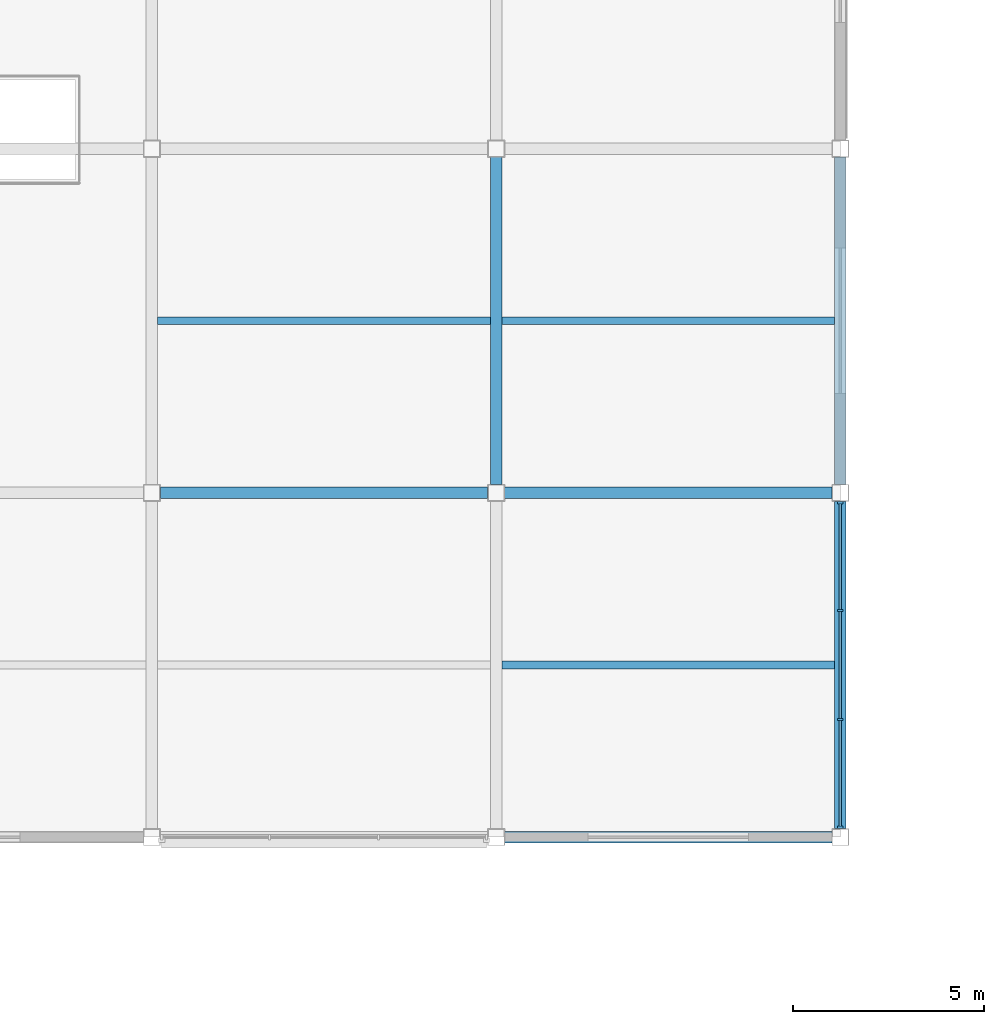
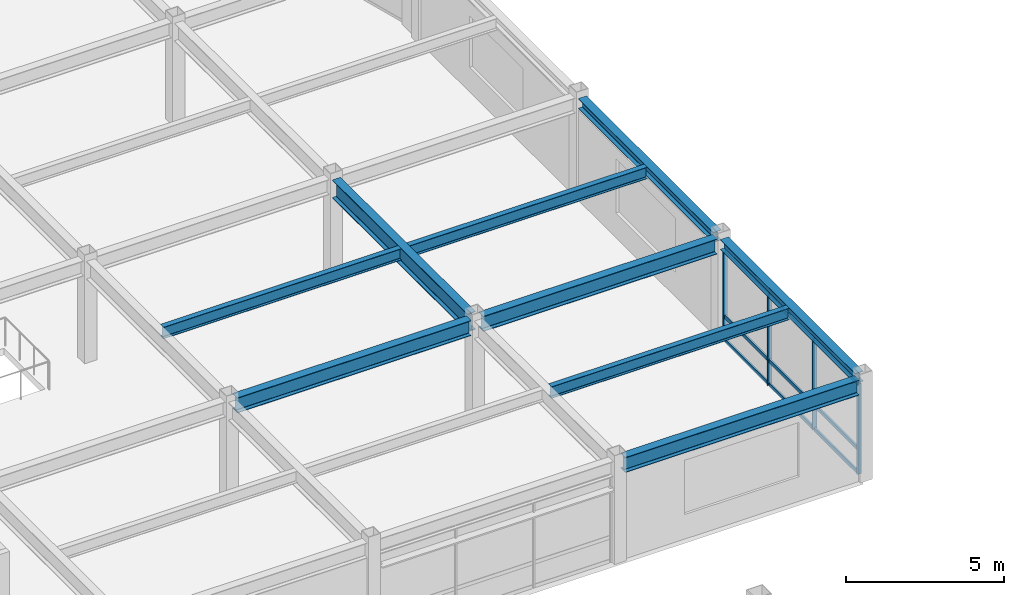
# One storey, part 43 of 105: 13 members, 9 beams, 1 element without a shape of its own.
"""IFC4 building model written with IfcOpenShell, lengths in metres."""

from ifc_helpers import new_model, si_unit, direction, frame, origin, origin_2d, place, context, subcontext, project, spatial, rectangle, i_section, extrude, material, material_profile, profile_set, type_object, element, aggregate, save


model = new_model("IFC4")

# Units and contexts
model_context = context("Model", 3, precision=1e-05, world=origin(), true_north=direction((0.0, 1.0)))
body_context = subcontext(model_context, "Body", "Model", "MODEL_VIEW")
ifc_project = project(units=[si_unit("LENGTHUNIT", "METRE"), si_unit("AREAUNIT", "SQUARE_METRE"), si_unit("VOLUMEUNIT", "CUBIC_METRE"), si_unit("PLANEANGLEUNIT", "RADIAN"), si_unit("MASSUNIT", "GRAM", prefix="KILO")], contexts=[model_context])

# Site, building, storey
site_placement = place(None, origin())
site = spatial("IfcSite", under=ifc_project, at=site_placement, CompositionType="ELEMENT")
building_placement = place(site_placement, origin())
building = spatial("IfcBuilding", under=site, at=building_placement, Name="Suzunagisa Mobility Hub", CompositionType="ELEMENT")
storey_placement = place(building_placement, frame((0.0, 0.0, 5.10009765625)))
storey = spatial("IfcBuildingStorey", under=building, at=storey_placement, Name="L01", CompositionType="ELEMENT", Elevation=5.10009765625)

# Curtain wall, members
ifc_material_1 = material(Name="Thermally Broken Anodized Aluminum and Low-E Glazing", Category="aluminium")
curtain_wall_type = type_object("IfcCurtainWallType", Name="Unitised Curtain Wall CW-20 8500x3500", PredefinedType="USERDEFINED", material=ifc_material_1)
curtain_wall_placement = place(storey_placement, origin())
curtain_wall = element("IfcCurtainWall", 1, at=curtain_wall_placement, inside=storey, type_object=curtain_wall_type, Name="L01 Unitised Curtain Wall CW-103", ObjectType="UNITISED CURTAIN WALL", PredefinedType="USERDEFINED")
ifc_material_2 = material(Name="Anodized Aluminum 6063-T6", Category="aluminium")
ifc_material_profile_1 = material_profile(ifc_material_2, rectangle(XDim=0.06494140625, YDim=0.139892578125, at=origin_2d()), Name="TRAN-65x140")
ifc_profile_set_1 = profile_set([ifc_material_profile_1], Name="Anodized Aluminum 6063-T6")
member_type_1 = type_object("IfcMemberType", Name="Curtain Wall Framing CM-01 TRAN-65x140", PredefinedType="USERDEFINED", material=ifc_profile_set_1)
member_1_placement = place(storey_placement, frame((126.0, 80.282958984375, 0.032470703125), z_axis=(0.0, 1.0, 0.0), x_axis=(-1.0, 0.0, 0.0)))
member_1 = element("IfcMember", 2, at=member_1_placement, type_object=member_type_1, Name="Curtain Wall Transom 103-T1.1", ObjectType="TRANSOM", PredefinedType="USERDEFINED", context=body_context, shape_type="SweptSolid", body=[
    extrude(rectangle(XDim=0.06494140625, YDim=0.139892578125, at=origin_2d()), origin(), (0.0, 0.0, 1.0), 2.76416015625),
])
member_2_placement = place(storey_placement, frame((126.0, 80.282958984375, 0.949951171875), z_axis=(0.0, 1.0, 0.0), x_axis=(-1.0, 0.0, 0.0)))
member_2 = element("IfcMember", 3, at=member_2_placement, type_object=member_type_1, Name="Curtain Wall Transom 103-T1.2", ObjectType="TRANSOM", PredefinedType="USERDEFINED", context=body_context, shape_type="SweptSolid", body=[
    extrude(rectangle(XDim=0.06494140625, YDim=0.139892578125, at=origin_2d()), origin(), (0.0, 0.0, 1.0), 2.76416015625),
])
member_3_placement = place(storey_placement, frame((126.0, 80.282958984375, 3.45751953125), z_axis=(0.0, 1.0, 0.0), x_axis=(-1.0, 0.0, 0.0)))
member_3 = element("IfcMember", 4, at=member_3_placement, type_object=member_type_1, Name="Curtain Wall Transom 103-T1.3", ObjectType="TRANSOM", PredefinedType="USERDEFINED", context=body_context, shape_type="SweptSolid", body=[
    extrude(rectangle(XDim=0.06494140625, YDim=0.139892578125, at=origin_2d()), origin(), (0.0, 0.0, 1.0), 2.76416015625),
])
member_4_placement = place(storey_placement, frame((126.0, 83.10302734375, 0.032470703125), z_axis=(0.0, 1.0, 0.0), x_axis=(-1.0, 0.0, 0.0)))
member_4 = element("IfcMember", 5, at=member_4_placement, type_object=member_type_1, Name="Curtain Wall Transom 103-T2.1", ObjectType="TRANSOM", PredefinedType="USERDEFINED", context=body_context, shape_type="SweptSolid", body=[
    extrude(rectangle(XDim=0.06494140625, YDim=0.139892578125, at=origin_2d()), origin(), (0.0, 0.0, 1.0), 2.7939453125),
])
member_5_placement = place(storey_placement, frame((126.0, 83.10302734375, 0.949951171875), z_axis=(0.0, 1.0, 0.0), x_axis=(-1.0, 0.0, 0.0)))
member_5 = element("IfcMember", 6, at=member_5_placement, type_object=member_type_1, Name="Curtain Wall Transom 103-T2.2", ObjectType="TRANSOM", PredefinedType="USERDEFINED", context=body_context, shape_type="SweptSolid", body=[
    extrude(rectangle(XDim=0.06494140625, YDim=0.139892578125, at=origin_2d()), origin(), (0.0, 0.0, 1.0), 2.7939453125),
])
member_6_placement = place(storey_placement, frame((126.0, 83.10302734375, 3.45751953125), z_axis=(0.0, 1.0, 0.0), x_axis=(-1.0, 0.0, 0.0)))
member_6 = element("IfcMember", 7, at=member_6_placement, type_object=member_type_1, Name="Curtain Wall Transom 103-T2.3", ObjectType="TRANSOM", PredefinedType="USERDEFINED", context=body_context, shape_type="SweptSolid", body=[
    extrude(rectangle(XDim=0.06494140625, YDim=0.139892578125, at=origin_2d()), origin(), (0.0, 0.0, 1.0), 2.7939453125),
])
member_7_placement = place(storey_placement, frame((126.0, 85.952880859375, 0.032470703125), z_axis=(0.0, 1.0, 0.0), x_axis=(-1.0, 0.0, 0.0)))
member_7 = element("IfcMember", 8, at=member_7_placement, type_object=member_type_1, Name="Curtain Wall Transom 103-T3.1", ObjectType="TRANSOM", PredefinedType="USERDEFINED", context=body_context, shape_type="SweptSolid", body=[
    extrude(rectangle(XDim=0.06494140625, YDim=0.139892578125, at=origin_2d()), origin(), (0.0, 0.0, 1.0), 2.76416015625),
])
member_8_placement = place(storey_placement, frame((126.0, 85.952880859375, 0.949951171875), z_axis=(0.0, 1.0, 0.0), x_axis=(-1.0, 0.0, 0.0)))
member_8 = element("IfcMember", 9, at=member_8_placement, type_object=member_type_1, Name="Curtain Wall Transom 103-T3.2", ObjectType="TRANSOM", PredefinedType="USERDEFINED", context=body_context, shape_type="SweptSolid", body=[
    extrude(rectangle(XDim=0.06494140625, YDim=0.139892578125, at=origin_2d()), origin(), (0.0, 0.0, 1.0), 2.76416015625),
])
member_9_placement = place(storey_placement, frame((126.0, 85.952880859375, 3.45751953125), z_axis=(0.0, 1.0, 0.0), x_axis=(-1.0, 0.0, 0.0)))
member_9 = element("IfcMember", 10, at=member_9_placement, type_object=member_type_1, Name="Curtain Wall Transom 103-T3.3", ObjectType="TRANSOM", PredefinedType="USERDEFINED", context=body_context, shape_type="SweptSolid", body=[
    extrude(rectangle(XDim=0.06494140625, YDim=0.139892578125, at=origin_2d()), origin(), (0.0, 0.0, 1.0), 2.76416015625),
])
ifc_material_profile_2 = material_profile(ifc_material_2, rectangle(XDim=0.06005859375, YDim=0.14990234375, at=origin_2d()), Name="MULL-60x150")
ifc_profile_set_2 = profile_set([ifc_material_profile_2], Name="Anodized Aluminum 6063-T6")
member_type_2 = type_object("IfcMemberType", Name="Curtain Wall Framing CM-03 MULL-60x150", PredefinedType="MULLION", material=ifc_profile_set_2)
member_10_placement = place(storey_placement, frame((126.0, 80.2548828125, 0.0), z_axis=(0.0, 0.0, 1.0), x_axis=(0.0, 1.0, 0.0)))
member_10 = element("IfcMember", 11, at=member_10_placement, type_object=member_type_2, Name="Curtain Wall Mullion 103-M1", PredefinedType="MULLION", context=body_context, shape_type="SweptSolid", body=[
    extrude(rectangle(XDim=0.06005859375, YDim=0.14990234375, at=origin_2d()), origin(), (0.0, 0.0, 1.0), 3.489990234375),
])
member_11_placement = place(storey_placement, frame((126.0, 83.074951171875, 0.0), z_axis=(0.0, 0.0, 1.0), x_axis=(0.0, 1.0, 0.0)))
member_11 = element("IfcMember", 12, at=member_11_placement, type_object=member_type_2, Name="Curtain Wall Mullion 103-M2", PredefinedType="MULLION", context=body_context, shape_type="SweptSolid", body=[
    extrude(rectangle(XDim=0.06005859375, YDim=0.14990234375, at=origin_2d()), origin(), (0.0, 0.0, 1.0), 3.489990234375),
])
member_12_placement = place(storey_placement, frame((126.0, 85.925048828125, 0.0), z_axis=(0.0, 0.0, 1.0), x_axis=(0.0, 1.0, 0.0)))
member_12 = element("IfcMember", 13, at=member_12_placement, type_object=member_type_2, Name="Curtain Wall Mullion 103-M3", PredefinedType="MULLION", context=body_context, shape_type="SweptSolid", body=[
    extrude(rectangle(XDim=0.06005859375, YDim=0.14990234375, at=origin_2d()), origin(), (0.0, 0.0, 1.0), 3.489990234375),
])
member_13_placement = place(storey_placement, frame((126.0, 88.7451171875, 0.0), z_axis=(0.0, 0.0, 1.0), x_axis=(0.0, 1.0, 0.0)))
member_13 = element("IfcMember", 14, at=member_13_placement, type_object=member_type_2, Name="Curtain Wall Mullion 103-M4", PredefinedType="MULLION", context=body_context, shape_type="SweptSolid", body=[
    extrude(rectangle(XDim=0.06005859375, YDim=0.14990234375, at=origin_2d()), origin(), (0.0, 0.0, 1.0), 3.489990234375),
])
aggregate(curtain_wall, [member_10, member_11, member_12, member_13, member_1, member_2, member_3, member_4, member_5, member_6, member_7, member_8, member_9])

# Beams
ifc_material_3 = material(Name="Steel SN400B", Category="steel")
ifc_material_profile_3 = material_profile(ifc_material_3, i_section(OverallWidth=0.199951171875, OverallDepth=0.449951171875, WebThickness=0.009033203125, FlangeThickness=0.013916015625, FilletRadius=0.012939453125, at=origin_2d()), Name="H-450x200x9x14")
ifc_profile_set_3 = profile_set([ifc_material_profile_3], Name="Steel SN400B")
beam_type_1 = type_object("IfcBeamType", Name="Steel Beam BM-05 H-450x200x9x14", PredefinedType="JOIST", material=ifc_profile_set_3)
for number, where, z_axis, x_axis, name in (
    (15, (108.14990234375, 93.5, 3.71484375), (1.0, 0.0, 0.0), (0.0, 1.0, 0.0), "L01 Composite Floor Joist J-909"),
    (16, (117.14990234375, 84.5, 3.71484375), (1.0, 0.0, 0.0), (0.0, 1.0, 0.0), "L01 Composite Floor Joist J-912"),
    (17, (117.14990234375, 93.5, 3.71484375), (1.0, 0.0, 0.0), (0.0, 1.0, 0.0), "L01 Composite Floor Joist J-913"),
):
    element("IfcBeam", number, at=place(storey_placement, frame(where, z_axis=z_axis, x_axis=x_axis)), inside=storey, type_object=beam_type_1, Name=name, PredefinedType="JOIST", context=body_context, shape_type="SweptSolid", body=[
        extrude(i_section(OverallWidth=0.199951171875, OverallDepth=0.449951171875, WebThickness=0.009033203125, FlangeThickness=0.013916015625, FilletRadius=0.012939453125, at=origin_2d()), origin(), (0.0, 0.0, 1.0), 8.7001953125),
    ])
ifc_material_4 = material(Name="Steel SN490B", Category="steel")
ifc_material_profile_4 = material_profile(ifc_material_4, i_section(OverallWidth=0.300048828125, OverallDepth=0.699951171875, WebThickness=0.012939453125, FlangeThickness=0.02392578125, FilletRadius=0.01806640625, at=origin_2d()), Name="H-700x300x13x24")
ifc_profile_set_4 = profile_set([ifc_material_profile_4], Name="Steel SN490B")
beam_type_2 = type_object("IfcBeamType", Name="Steel Beam BM-11 H-700x300x13x24", PredefinedType="BEAM", material=ifc_profile_set_4)
beam_placement = place(storey_placement, frame((117.0, 89.220947265625, 3.58984375), z_axis=(0.0, 1.0, 0.0), x_axis=(-1.0, 0.0, 0.0)))
element("IfcBeam", 18, at=beam_placement, inside=storey, type_object=beam_type_2, Name="L01 Primary Girder GY-879", PredefinedType="BEAM", context=body_context, shape_type="SweptSolid", body=[
    extrude(i_section(OverallWidth=0.300048828125, OverallDepth=0.699951171875, WebThickness=0.012939453125, FlangeThickness=0.02392578125, FilletRadius=0.01806640625, at=origin_2d()), origin(), (0.0, 0.0, 1.0), 8.55810546875),
])
ifc_material_profile_5 = material_profile(ifc_material_4, i_section(OverallWidth=0.300048828125, OverallDepth=0.389892578125, WebThickness=0.010009765625, FlangeThickness=0.01611328125, FilletRadius=0.012939453125, at=origin_2d()), Name="H-390x300x10x16")
ifc_profile_set_5 = profile_set([ifc_material_profile_5], Name="Steel SN490B")
beam_type_3 = type_object("IfcBeamType", Name="Steel Beam BM-13 H-390x300x10x16", PredefinedType="SPANDREL", material=ifc_profile_set_5)
for number, where, z_axis, x_axis, name in (
    (19, (126.0, 80.220947265625, 3.744873046875), (0.0, 1.0, 0.0), (-1.0, 0.0, 0.0), "L01 Primary Girder GY-882"),
    (20, (126.0, 89.220947265625, 3.744873046875), (0.0, 1.0, 0.0), (-1.0, 0.0, 0.0), "L01 Primary Girder GY-883"),
):
    element("IfcBeam", number, at=place(storey_placement, frame(where, z_axis=z_axis, x_axis=x_axis)), inside=storey, type_object=beam_type_3, Name=name, PredefinedType="SPANDREL", context=body_context, shape_type="SweptSolid", body=[
        extrude(i_section(OverallWidth=0.300048828125, OverallDepth=0.389892578125, WebThickness=0.010009765625, FlangeThickness=0.01611328125, FilletRadius=0.012939453125, at=origin_2d()), origin(), (0.0, 0.0, 1.0), 8.55810546875),
    ])
ifc_material_profile_6 = material_profile(ifc_material_4, i_section(OverallWidth=0.300048828125, OverallDepth=0.587890625, WebThickness=0.011962890625, FlangeThickness=0.02001953125, FilletRadius=0.012939453125, at=origin_2d()), Name="H-588x300x12x20")
ifc_profile_set_6 = profile_set([ifc_material_profile_6], Name="Steel SN490B")
beam_type_4 = type_object("IfcBeamType", Name="Steel Beam BM-16 H-588x300x12x20", PredefinedType="BEAM", material=ifc_profile_set_6)
for number, where, z_axis, x_axis, name in (
    (21, (117.220947265625, 80.0, 3.64599609375), (1.0, 0.0, 0.0), (0.0, 1.0, 0.0), "L01 Primary Girder GX-810"),
    (22, (108.220947265625, 89.0, 3.64599609375), (1.0, 0.0, 0.0), (0.0, 1.0, 0.0), "L01 Primary Girder GX-818"),
    (23, (117.220947265625, 89.0, 3.64599609375), (1.0, 0.0, 0.0), (0.0, 1.0, 0.0), "L01 Primary Girder GX-819"),
):
    element("IfcBeam", number, at=place(storey_placement, frame(where, z_axis=z_axis, x_axis=x_axis)), inside=storey, type_object=beam_type_4, Name=name, PredefinedType="BEAM", context=body_context, shape_type="SweptSolid", body=[
        extrude(i_section(OverallWidth=0.300048828125, OverallDepth=0.587890625, WebThickness=0.011962890625, FlangeThickness=0.02001953125, FilletRadius=0.012939453125, at=origin_2d()), origin(), (0.0, 0.0, 1.0), 8.55810546875),
    ])

save(model, "model.ifc")
